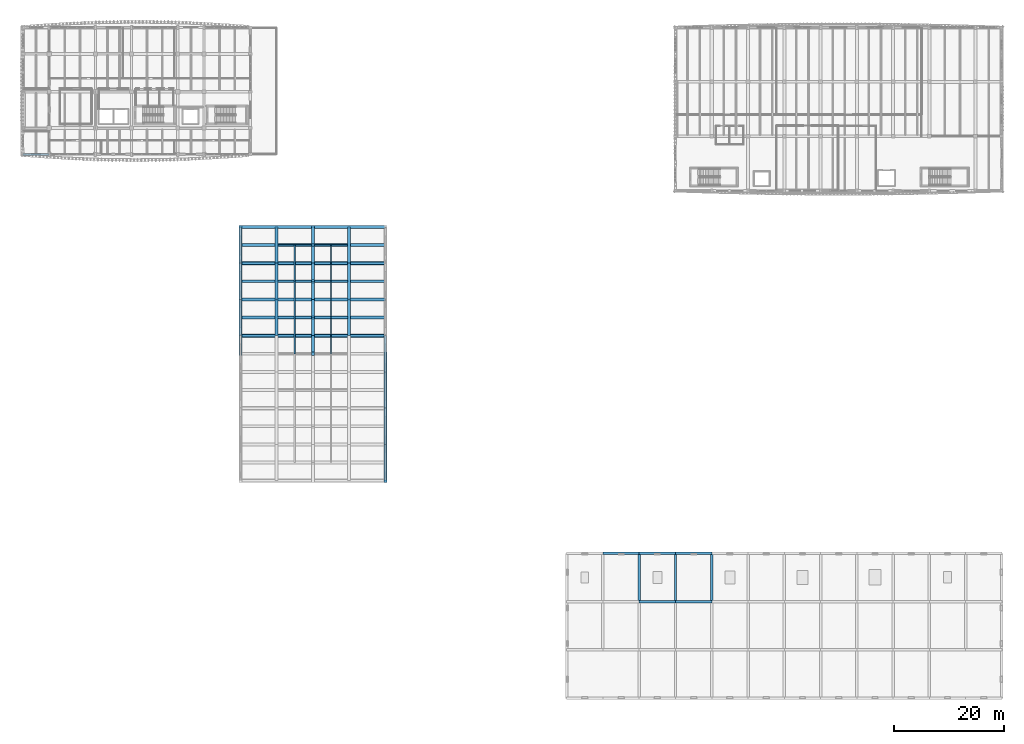
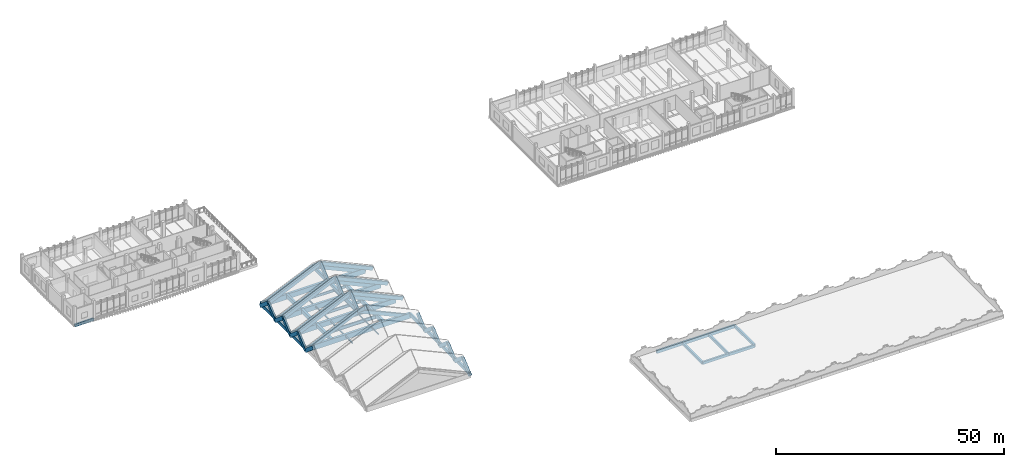
# One storey, part 3 of 50: 67 beams, 6 members.
"""IFC4 building model written with IfcOpenShell, lengths in metres."""

import ifcopenshell
import ifcopenshell.guid

model = None  # the IFC model being written
_history = None  # IfcOwnerHistory: only IFC2X3 demands one
_inside = {}  # id of a spatial element -> (the spatial element, [elements in it])
_under = {}  # id of a project, library or spatial element -> (it, [spatial elements below it])
_declared = {}  # id of a project -> (the project, [libraries it declares])
_typed = {}  # id of a type object -> (the type object, [elements of that type])
_made_of = {}  # id of a material, layer set ... -> (it, [elements and type objects made of it])


def new_model(schema):
    """Start an empty IFC model of exactly this schema.

    Asked for "IFC4X3", IfcOpenShell would pick the latest addendum, in which some entities
    have other attributes; the version numbers below select the first issue.
    IFC2X3 requires an IfcOwnerHistory on every rooted entity: one is made here for all.
    """
    global model, _history
    if schema == "IFC4X3":
        model = ifcopenshell.file(schema_version=(4, 3, 0, 0))
    else:
        model = ifcopenshell.file(schema=schema)
    _inside.clear()
    _under.clear()
    _declared.clear()
    _typed.clear()
    _made_of.clear()
    _history = None
    if model.schema == "IFC2X3":
        org = make("IfcOrganization", Name="unknown")
        user = make(
            "IfcPersonAndOrganization",
            ThePerson=make("IfcPerson", FamilyName="unknown"),
            TheOrganization=org,
        )
        app = make(
            "IfcApplication",
            ApplicationDeveloper=org,
            Version="unknown",
            ApplicationFullName="unknown",
            ApplicationIdentifier="unknown",
        )
        _history = make(
            "IfcOwnerHistory",
            OwningUser=user,
            OwningApplication=app,
            ChangeAction="ADDED",
            CreationDate=0,
        )
    return model


def make(cls, **values):
    """One entity of the class cls with the attributes given. An attribute that is None is left unset."""
    return model.create_entity(
        cls, **{name: value for name, value in values.items() if value is not None}
    )


def rooted(cls, **values):
    """An entity with a GlobalId (a new one), such as an element, a storey or a relation."""
    return make(cls, GlobalId=ifcopenshell.guid.new(), OwnerHistory=_history, **values)


def si_unit(unit_type, name, prefix=None):
    """IfcSIUnit, for example si_unit("LENGTHUNIT", "METRE", prefix="MILLI")."""
    return make("IfcSIUnit", UnitType=unit_type, Prefix=prefix, Name=name)


def assignment(units):
    """IfcUnitAssignment: the units of a project."""
    return None if units is None else make("IfcUnitAssignment", Units=units)


def point(xyz):
    """IfcCartesianPoint."""
    return None if xyz is None else make("IfcCartesianPoint", Coordinates=xyz)


def direction(xyz):
    """IfcDirection."""
    return None if xyz is None else make("IfcDirection", DirectionRatios=xyz)


def frame(location, z_axis=None, x_axis=None):
    """IfcAxis2Placement3D, a coordinate frame: its origin and axes. An axis left out is left unset."""
    return make(
        "IfcAxis2Placement3D",
        Location=point(location),
        Axis=direction(z_axis),
        RefDirection=direction(x_axis),
    )


def frame_2d(location, x_axis=None):
    """IfcAxis2Placement2D, a coordinate frame in the plane: its origin and x axis."""
    return make(
        "IfcAxis2Placement2D", Location=point(location), RefDirection=direction(x_axis)
    )


def origin():
    """The frame at (0, 0, 0) with its axes left unset."""
    return frame((0.0, 0.0, 0.0))


def origin_2d():
    """The frame at (0, 0) in the plane with its x axis left unset."""
    return frame_2d((0.0, 0.0))


def place(relative_to, where):
    """IfcLocalPlacement: puts the frame where relative to a parent placement (None: the world)."""
    return make(
        "IfcLocalPlacement", PlacementRelTo=relative_to, RelativePlacement=where
    )


def context(
    kind, dimensions, precision=None, world=None, true_north=None, identifier=None
):
    """IfcGeometricRepresentationContext, for example the 3D "Model" context."""
    return make(
        "IfcGeometricRepresentationContext",
        ContextIdentifier=identifier,
        ContextType=kind,
        CoordinateSpaceDimension=dimensions,
        Precision=precision,
        WorldCoordinateSystem=world,
        TrueNorth=true_north,
    )


def subcontext(parent, identifier, kind, view, scale=None):
    """IfcGeometricRepresentationSubContext, for example "Body" below "Model"."""
    return make(
        "IfcGeometricRepresentationSubContext",
        ContextIdentifier=identifier,
        ContextType=kind,
        ParentContext=parent,
        TargetScale=scale,
        TargetView=view,
    )


def project(units=None, contexts=None):
    """IfcProject with its units and contexts."""
    return rooted(
        "IfcProject",
        Name="project",
        RepresentationContexts=contexts,
        UnitsInContext=assignment(units),
    )


def spatial(cls, under=None, at=None, **own):
    """A site, building, storey or space (cls), placed at a placement, below another one or the project."""
    s = rooted(cls, ObjectPlacement=at, **own)
    if under is not None:
        _under.setdefault(under.id(), (under, []))[1].append(s)
    return s


def profile(cls, at=None, kind="AREA", **sizes):
    """A parametric profile (cls). Its sizes go by their IFC names, for example OverallWidth=200.0."""
    return make(cls, ProfileType=kind, Position=at, **sizes)


def rectangle(**sizes):
    """IfcRectangleProfileDef."""
    return profile("IfcRectangleProfileDef", **sizes)


def i_section(**sizes):
    """IfcIShapeProfileDef."""
    return profile("IfcIShapeProfileDef", **sizes)


def extrude(swept, where, along, depth):
    """IfcExtrudedAreaSolid: the profile swept, set in the frame where, extruded along a direction by depth."""
    return make(
        "IfcExtrudedAreaSolid",
        SweptArea=swept,
        Position=where,
        ExtrudedDirection=direction(along),
        Depth=depth,
    )


def shape(context_of_items, identifier, shape_type, items):
    """IfcShapeRepresentation: the items that make up one representation, for example the "Body"."""
    return make(
        "IfcShapeRepresentation",
        ContextOfItems=context_of_items,
        RepresentationIdentifier=identifier,
        RepresentationType=shape_type,
        Items=items,
    )


def material(Name=None, Category=None):
    """IfcMaterial."""
    return make("IfcMaterial", Name=Name, Category=Category)


def material_profile(
    of_material, cross_section, Name=None, Category=None, Priority=None
):
    """IfcMaterialProfile: a cross section and its material."""
    return make(
        "IfcMaterialProfile",
        Name=Name,
        Material=of_material,
        Profile=cross_section,
        Priority=Priority,
        Category=Category,
    )


def profile_set(profiles, Name=None, composite=None):
    """IfcMaterialProfileSet."""
    return make(
        "IfcMaterialProfileSet",
        Name=Name,
        MaterialProfiles=profiles,
        CompositeProfile=composite,
    )


def made_of(thing, what):
    """Note that an element or type object is made of a material, layer set ...; save() writes the relation."""
    if what is not None:
        _made_of.setdefault(what.id(), (what, []))[1].append(thing)
    return thing


def type_object(cls, material=None, **own):
    """A type object (cls), such as IfcWallType, which elements share."""
    return made_of(rooted(cls, **own), material)


def element(
    cls,
    number,
    at=None,
    inside=None,
    cuts=None,
    type_object=None,
    material=None,
    context=None,
    identifier="Body",
    shape_type=None,
    held_by="IfcProductDefinitionShape",
    body=None,
    shapes=None,
    **own,
):
    """One element of the class cls, such as IfcWall. Its Tag is "e" and its number.

    at: its placement. inside: the storey or other place that contains it. cuts: it is an
    opening in that element (IfcRelVoidsElement). A single representation is given by context,
    identifier, shape_type and body (its items); several are given by shapes. held_by: the class
    of the entity that holds the representations. save() writes the other relations.
    """
    e = rooted(cls, Tag="e%d" % number, ObjectPlacement=at, **own)
    if body is not None:
        shapes = [shape(context, identifier, shape_type, body)]
    if shapes is not None:
        e.Representation = make(held_by, Representations=shapes)
    if inside is not None:
        _inside.setdefault(inside.id(), (inside, []))[1].append(e)
    if cuts is not None:
        rooted(
            "IfcRelVoidsElement", RelatingBuildingElement=cuts, RelatedOpeningElement=e
        )
    if type_object is not None:
        _typed.setdefault(type_object.id(), (type_object, []))[1].append(e)
    return made_of(e, material)


def aggregate(whole, parts):
    """IfcRelAggregates: a whole, such as a stair, and the parts it consists of."""
    return rooted("IfcRelAggregates", RelatingObject=whole, RelatedObjects=parts)


def save(model, path):
    """Write the relations noted so far, then the file.

    IfcRelAggregates (storeys below a building ...), IfcRelContainedInSpatialStructure (elements
    in a storey), IfcRelDefinesByType, IfcRelAssociatesMaterial and IfcRelDeclares: one each for
    every whole, place, type object, material and project.
    """
    for whole, parts in _under.values():
        aggregate(whole, parts)
    for where, things in _inside.values():
        rooted(
            "IfcRelContainedInSpatialStructure",
            RelatedElements=things,
            RelatingStructure=where,
        )
    for kind, things in _typed.values():
        rooted("IfcRelDefinesByType", RelatedObjects=things, RelatingType=kind)
    for what, things in _made_of.values():
        rooted("IfcRelAssociatesMaterial", RelatedObjects=things, RelatingMaterial=what)
    for by, libraries in _declared.values():
        rooted("IfcRelDeclares", RelatingContext=by, RelatedDefinitions=libraries)
    model.write(path)


model = new_model("IFC4")

# Units and contexts
model_context = context("Model", 3, precision=1e-05, world=origin(), true_north=direction((0.0, 1.0)))
body_context = subcontext(model_context, "Body", "Model", "MODEL_VIEW")
ifc_project = project(units=[si_unit("LENGTHUNIT", "METRE"), si_unit("AREAUNIT", "SQUARE_METRE"), si_unit("VOLUMEUNIT", "CUBIC_METRE"), si_unit("PLANEANGLEUNIT", "RADIAN"), si_unit("MASSUNIT", "GRAM", prefix="KILO")], contexts=[model_context])

# Site, building, storey
site_placement = place(None, origin())
site = spatial("IfcSite", under=ifc_project, at=site_placement, CompositionType="ELEMENT")
building_placement = place(site_placement, origin())
building = spatial("IfcBuilding", under=site, at=building_placement, Name="Dornvale Research Institute", CompositionType="ELEMENT")
storey_placement = place(building_placement, frame((0.0, 0.0, 19.800048828125)))
storey = spatial("IfcBuildingStorey", under=building, at=storey_placement, Name="L04", CompositionType="ELEMENT", Elevation=19.800048828125)

# Beams
ifc_material_1 = material(Name="Concrete f'c 45 MPa (C35/45)", Category="concrete")
ifc_material_profile_1 = material_profile(ifc_material_1, rectangle(XDim=0.449951171875, YDim=0.715087890625, at=origin_2d()), Name="RC 450x715")
ifc_profile_set_1 = profile_set([ifc_material_profile_1], Name="Concrete f'c 45 MPa (C35/45)")
beam_type_1 = type_object("IfcBeamType", Name="Beam_RC450x715_Lab", PredefinedType="BEAM", material=ifc_profile_set_1)
beam_1_placement = place(storey_placement, frame((112.199951171875, 17.60009765625, -0.357666015625), z_axis=(1.0, 0.0, 0.0), x_axis=(0.0, 1.0, 0.0)))
element("IfcBeam", 1, at=beam_1_placement, inside=storey, type_object=beam_type_1, Name="L04 primary girder #1261", PredefinedType="BEAM", context=body_context, shape_type="SweptSolid", body=[
    extrude(rectangle(XDim=0.449951171875, YDim=0.715087890625, at=origin_2d()), origin(), (0.0, 0.0, 1.0), 6.60009765625),
])
beam_2_placement = place(storey_placement, frame((118.800048828125, 17.60009765625, -0.357666015625), z_axis=(1.0, 0.0, 0.0), x_axis=(0.0, 1.0, 0.0)))
element("IfcBeam", 2, at=beam_2_placement, inside=storey, type_object=beam_type_1, Name="L04 primary girder #1262", PredefinedType="BEAM", context=body_context, shape_type="SweptSolid", body=[
    extrude(rectangle(XDim=0.449951171875, YDim=0.715087890625, at=origin_2d()), origin(), (0.0, 0.0, 1.0), 6.599853515625),
])
for number, where, z_axis, x_axis, name in (
    (3, (112.199951171875, 17.60009765625, -0.357666015625), (0.0, 1.0, 0.0), (-1.0, 0.0, 0.0), "L04 transverse girder #1290"),
    (4, (118.800048828125, 17.60009765625, -0.357666015625), (0.0, 1.0, 0.0), (-1.0, 0.0, 0.0), "L04 transverse girder #1293"),
    (5, (125.39990234375, 17.60009765625, -0.357666015625), (0.0, 1.0, 0.0), (-1.0, 0.0, 0.0), "L04 transverse girder #1296"),
):
    element("IfcBeam", number, at=place(storey_placement, frame(where, z_axis=z_axis, x_axis=x_axis)), inside=storey, type_object=beam_type_1, Name=name, PredefinedType="BEAM", context=body_context, shape_type="SweptSolid", body=[
        extrude(rectangle(XDim=0.449951171875, YDim=0.715087890625, at=origin_2d()), origin(), (0.0, 0.0, 1.0), 8.7998046875),
    ])
ifc_material_2 = material(Name="Concrete f'c 45 MPa (C35/45)", Category="concrete")
ifc_material_profile_2 = material_profile(ifc_material_2, rectangle(XDim=0.5, YDim=0.89990234375, at=origin_2d()), Name="RC 500x900")
ifc_profile_set_2 = profile_set([ifc_material_profile_2], Name="Concrete f'c 45 MPa (C35/45)")
beam_type_2 = type_object("IfcBeamType", Name="Beam_RC500x900_Ridge", PredefinedType="BEAM", material=ifc_profile_set_2)
beam_3_placement = place(storey_placement, frame((52.800048828125, 66.0, 5.030029296875), z_axis=(0.0, 1.0, 0.0), x_axis=(-1.0, 0.0, 0.0)))
element("IfcBeam", 6, at=beam_3_placement, inside=storey, type_object=beam_type_2, Name="L04 V2 folded-plate valley spine tie #1963", PredefinedType="BEAM", context=body_context, shape_type="SweptSolid", body=[
    extrude(rectangle(XDim=0.5, YDim=0.89990234375, at=origin_2d()), origin(), (0.0, 0.0, 1.0), 6.60009765625),
])
beam_4_placement = place(storey_placement, frame((52.800048828125, 72.60009765625, 5.030029296875), z_axis=(0.0, 1.0, 0.0), x_axis=(-1.0, 0.0, 0.0)))
element("IfcBeam", 7, at=beam_4_placement, inside=storey, type_object=beam_type_2, Name="L04 V2 folded-plate valley spine tie #1968", PredefinedType="BEAM", context=body_context, shape_type="SweptSolid", body=[
    extrude(rectangle(XDim=0.5, YDim=0.89990234375, at=origin_2d()), origin(), (0.0, 0.0, 1.0), 6.599853515625),
])
beam_5_placement = place(storey_placement, frame((52.800048828125, 79.199951171875, 5.030029296875), z_axis=(0.0, 1.0, 0.0), x_axis=(-1.0, 0.0, 0.0)))
element("IfcBeam", 8, at=beam_5_placement, inside=storey, type_object=beam_type_2, Name="L04 V2 folded-plate valley spine tie #1973", PredefinedType="BEAM", context=body_context, shape_type="SweptSolid", body=[
    extrude(rectangle(XDim=0.5, YDim=0.89990234375, at=origin_2d()), origin(), (0.0, 0.0, 1.0), 6.60009765625),
])
for number, where, z_axis, x_axis, name in (
    (9, (52.800048828125, 62.699951171875, 7.829833984375), (0.0, 0.762536121444, -0.646945641838), (-1.0, 0.0, 0.0), "L04 V2 folded-plate spine chord N #1975"),
    (10, (52.800048828125, 66.0, 5.030029296875), (0.0, 0.762536121444, 0.646945641838), (-1.0, 0.0, 0.0), "L04 V2 folded-plate spine chord S #1975"),
    (11, (52.800048828125, 69.300048828125, 7.829833984375), (0.0, 0.762536121444, -0.646945641838), (-1.0, 0.0, 0.0), "L04 V2 folded-plate spine chord N #1975"),
):
    element("IfcBeam", number, at=place(storey_placement, frame(where, z_axis=z_axis, x_axis=x_axis)), inside=storey, type_object=beam_type_2, Name=name, PredefinedType="BEAM", context=body_context, shape_type="SweptSolid", body=[
        extrude(rectangle(XDim=0.5, YDim=0.89990234375, at=origin_2d()), origin(), (0.0, 0.0, 1.0), 4.32763671875),
    ])
for number, where, z_axis, x_axis, name in (
    (12, (39.60009765625, 69.300048828125, 1.829833984375), (0.910365900827, 0.0, 0.413804212897), (0.0, 1.0, 0.0), "L04 V2 west pleat ridge rafter #1975"),
    (13, (66.0, 69.300048828125, 1.829833984375), (-0.910365900827, 0.0, 0.413804212897), (0.0, -1.0, 0.0), "L04 V2 east pleat ridge rafter #1975"),
):
    element("IfcBeam", number, at=place(storey_placement, frame(where, z_axis=z_axis, x_axis=x_axis)), inside=storey, type_object=beam_type_2, Name=name, PredefinedType="BEAM", context=body_context, shape_type="SweptSolid", body=[
        extrude(rectangle(XDim=0.5, YDim=0.89990234375, at=origin_2d()), origin(), (0.0, 0.0, 1.0), 14.49951171875),
    ])
for number, where, z_axis, x_axis, name in (
    (14, (52.800048828125, 72.60009765625, 5.030029296875), (0.0, 0.762512508849, 0.646973472291), (-1.0, 0.0, 0.0), "L04 V2 folded-plate spine chord S #1975"),
    (15, (52.800048828125, 75.89990234375, 7.829833984375), (0.0, 0.762536121444, -0.646945641838), (-1.0, 0.0, 0.0), "L04 V2 folded-plate spine chord N #1975"),
):
    element("IfcBeam", number, at=place(storey_placement, frame(where, z_axis=z_axis, x_axis=x_axis)), inside=storey, type_object=beam_type_2, Name=name, PredefinedType="BEAM", context=body_context, shape_type="SweptSolid", body=[
        extrude(rectangle(XDim=0.5, YDim=0.89990234375, at=origin_2d()), origin(), (0.0, 0.0, 1.0), 4.32763671875),
    ])
for number, where, z_axis, x_axis, name in (
    (16, (39.60009765625, 75.89990234375, 1.829833984375), (0.910365900827, 0.0, 0.413804212897), (0.0, 1.0, 0.0), "L04 V2 west pleat ridge rafter #1975"),
    (17, (66.0, 75.89990234375, 1.829833984375), (-0.910365900827, 0.0, 0.413804212897), (0.0, -1.0, 0.0), "L04 V2 east pleat ridge rafter #1975"),
):
    element("IfcBeam", number, at=place(storey_placement, frame(where, z_axis=z_axis, x_axis=x_axis)), inside=storey, type_object=beam_type_2, Name=name, PredefinedType="BEAM", context=body_context, shape_type="SweptSolid", body=[
        extrude(rectangle(XDim=0.5, YDim=0.89990234375, at=origin_2d()), origin(), (0.0, 0.0, 1.0), 14.49951171875),
    ])
for number, where, z_axis, x_axis, name in (
    (18, (52.800048828125, 79.199951171875, 5.030029296875), (0.0, 0.762536121444, 0.646945641838), (-1.0, 0.0, 0.0), "L04 V2 folded-plate spine chord S #1975"),
    (19, (52.800048828125, 82.5, 7.829833984375), (0.0, 0.762536121444, -0.646945641838), (-1.0, 0.0, 0.0), "L04 V2 folded-plate spine chord N #1975"),
):
    element("IfcBeam", number, at=place(storey_placement, frame(where, z_axis=z_axis, x_axis=x_axis)), inside=storey, type_object=beam_type_2, Name=name, PredefinedType="BEAM", context=body_context, shape_type="SweptSolid", body=[
        extrude(rectangle(XDim=0.5, YDim=0.89990234375, at=origin_2d()), origin(), (0.0, 0.0, 1.0), 4.32763671875),
    ])
for number, where, z_axis, x_axis, name in (
    (20, (39.60009765625, 82.5, 1.829833984375), (0.910365900827, 0.0, 0.413804212897), (0.0, 1.0, 0.0), "L04 V2 west pleat ridge rafter #1975"),
    (21, (66.0, 82.5, 1.829833984375), (-0.910365900827, 0.0, 0.413804212897), (0.0, -1.0, 0.0), "L04 V2 east pleat ridge rafter #1975"),
    (22, (39.60009765625, 66.0, -0.969970703125), (0.910365900827, 0.0, 0.413804212897), (0.0, 1.0, 0.0), "L04 V2 west valley rafter #1989"),
    (23, (66.0, 66.0, -0.969970703125), (-0.910365900827, 0.0, 0.413804212897), (0.0, -1.0, 0.0), "L04 V2 east valley rafter #1990"),
    (24, (39.60009765625, 72.60009765625, -0.969970703125), (0.910365900827, 0.0, 0.413804212897), (0.0, 1.0, 0.0), "L04 V2 west valley rafter #1992"),
    (25, (66.0, 72.60009765625, -0.969970703125), (-0.910365900827, 0.0, 0.413804212897), (0.0, -1.0, 0.0), "L04 V2 east valley rafter #1993"),
    (26, (39.60009765625, 79.199951171875, -0.969970703125), (0.910365900827, 0.0, 0.413804212897), (0.0, 1.0, 0.0), "L04 V2 west valley rafter #1995"),
    (27, (66.0, 79.199951171875, -0.969970703125), (-0.910365900827, 0.0, 0.413804212897), (0.0, -1.0, 0.0), "L04 V2 east valley rafter #1996"),
    (28, (39.60009765625, 85.800048828125, -0.969970703125), (0.910365900827, 0.0, 0.413804212897), (0.0, 1.0, 0.0), "L04 V2 west valley rafter #1998"),
    (29, (66.0, 85.800048828125, -0.969970703125), (-0.910365900827, 0.0, 0.413804212897), (0.0, -1.0, 0.0), "L04 V2 east valley rafter #1999"),
):
    element("IfcBeam", number, at=place(storey_placement, frame(where, z_axis=z_axis, x_axis=x_axis)), inside=storey, type_object=beam_type_2, Name=name, PredefinedType="BEAM", context=body_context, shape_type="SweptSolid", body=[
        extrude(rectangle(XDim=0.5, YDim=0.89990234375, at=origin_2d()), origin(), (0.0, 0.0, 1.0), 14.49951171875),
    ])
ifc_material_3 = material(Name="Concrete f'c 45 MPa (C35/45)", Category="concrete")
ifc_material_profile_3 = material_profile(ifc_material_3, rectangle(XDim=0.550048828125, YDim=1.0, at=origin_2d()), Name="RC 550x1000")
ifc_profile_set_3 = profile_set([ifc_material_profile_3], Name="Concrete f'c 45 MPa (C35/45)")
beam_type_3 = type_object("IfcBeamType", Name="Beam_RC550x1000_Girder", PredefinedType="BEAM", material=ifc_profile_set_3)
for number, where, z_axis, x_axis, name in (
    (30, (46.199951171875, 66.0, -0.5), (0.0, 1.0, 0.0), (-1.0, 0.0, 0.0), "L04 V2 atrium west gallery beam #1964"),
    (31, (59.39990234375, 66.0, -0.5), (0.0, 1.0, 0.0), (-1.0, 0.0, 0.0), "L04 V2 atrium east gallery beam #1965"),
):
    element("IfcBeam", number, at=place(storey_placement, frame(where, z_axis=z_axis, x_axis=x_axis)), inside=storey, type_object=beam_type_3, Name=name, PredefinedType="BEAM", context=body_context, shape_type="SweptSolid", body=[
        extrude(rectangle(XDim=0.550048828125, YDim=1.0, at=origin_2d()), origin(), (0.0, 0.0, 1.0), 6.60009765625),
    ])
for number, where, z_axis, x_axis, name in (
    (32, (46.199951171875, 72.60009765625, -0.5), (0.0, 1.0, 0.0), (-1.0, 0.0, 0.0), "L04 V2 atrium west gallery beam #1969"),
    (33, (59.39990234375, 72.60009765625, -0.5), (0.0, 1.0, 0.0), (-1.0, 0.0, 0.0), "L04 V2 atrium east gallery beam #1970"),
):
    element("IfcBeam", number, at=place(storey_placement, frame(where, z_axis=z_axis, x_axis=x_axis)), inside=storey, type_object=beam_type_3, Name=name, PredefinedType="BEAM", context=body_context, shape_type="SweptSolid", body=[
        extrude(rectangle(XDim=0.550048828125, YDim=1.0, at=origin_2d()), origin(), (0.0, 0.0, 1.0), 6.599853515625),
    ])
for number, where, z_axis, x_axis, name in (
    (34, (46.199951171875, 79.199951171875, -0.5), (0.0, 1.0, 0.0), (-1.0, 0.0, 0.0), "L04 V2 atrium west gallery beam #1974"),
    (35, (59.39990234375, 79.199951171875, -0.5), (0.0, 1.0, 0.0), (-1.0, 0.0, 0.0), "L04 V2 atrium east gallery beam #1975"),
):
    element("IfcBeam", number, at=place(storey_placement, frame(where, z_axis=z_axis, x_axis=x_axis)), inside=storey, type_object=beam_type_3, Name=name, PredefinedType="BEAM", context=body_context, shape_type="SweptSolid", body=[
        extrude(rectangle(XDim=0.550048828125, YDim=1.0, at=origin_2d()), origin(), (0.0, 0.0, 1.0), 6.60009765625),
    ])
ifc_material_4 = material(Name="Steel ASTM A992 Grade 50", Category="steel")
ifc_material_profile_4 = material_profile(ifc_material_4, i_section(OverallWidth=0.25390625, OverallDepth=0.68310546875, WebThickness=0.012451171875, FlangeThickness=0.018798828125, at=origin_2d()), Name="W27X94")
ifc_profile_set_4 = profile_set([ifc_material_profile_4], Name="Steel ASTM A992 Grade 50")
beam_type_4 = type_object("IfcBeamType", Name="Beam_Steel_W27X94", PredefinedType="BEAM", material=ifc_profile_set_4)
beam_6_placement = place(storey_placement, frame((46.199951171875, 82.5, -0.6416015625), z_axis=(1.0, 0.0, 0.0), x_axis=(0.0, 1.0, 0.0)))
element("IfcBeam", 36, at=beam_6_placement, inside=storey, type_object=beam_type_4, Name="L04 atrium skylight mid-bay steel tie #2006", PredefinedType="BEAM", context=body_context, shape_type="SweptSolid", body=[
    extrude(i_section(OverallWidth=0.25390625, OverallDepth=0.68310546875, WebThickness=0.012451171875, FlangeThickness=0.018798828125, at=origin_2d()), origin(), (0.0, 0.0, 1.0), 13.199951171875),
])
ifc_material_5 = material(Name="Steel ASTM A992 Grade 50", Category="steel")
ifc_material_profile_5 = material_profile(ifc_material_5, i_section(OverallWidth=0.26708984375, OverallDepth=0.757080078125, WebThickness=0.013916015625, FlangeThickness=0.019287109375, at=origin_2d()), Name="W30X108")
ifc_profile_set_5 = profile_set([ifc_material_profile_5], Name="Steel ASTM A992 Grade 50")
beam_type_5 = type_object("IfcBeamType", Name="Beam_Steel_W30X108", PredefinedType="BEAM", material=ifc_profile_set_5)
beam_7_placement = place(storey_placement, frame((46.199951171875, 75.89990234375, -0.678466796875), z_axis=(1.0, 0.0, 0.0), x_axis=(0.0, 1.0, 0.0)))
element("IfcBeam", 37, at=beam_7_placement, inside=storey, type_object=beam_type_5, Name="L04 atrium skylight mid-bay steel tie #2005", PredefinedType="BEAM", context=body_context, shape_type="SweptSolid", body=[
    extrude(i_section(OverallWidth=0.26708984375, OverallDepth=0.757080078125, WebThickness=0.013916015625, FlangeThickness=0.019287109375, at=origin_2d()), origin(), (0.0, 0.0, 1.0), 13.199951171875),
])
ifc_material_6 = material(Name="Steel ASTM A992 Grade 50", Category="steel")
ifc_material_profile_6 = material_profile(ifc_material_6, i_section(OverallWidth=0.304931640625, OverallDepth=0.912109375, WebThickness=0.015869140625, FlangeThickness=0.02392578125, at=origin_2d()), Name="W36X150")
ifc_profile_set_6 = profile_set([ifc_material_profile_6], Name="Steel ASTM A992 Grade 50")
beam_type_6 = type_object("IfcBeamType", Name="Beam_Steel_W36X150", PredefinedType="BEAM", material=ifc_profile_set_6)
beam_8_placement = place(storey_placement, frame((46.199951171875, 69.300048828125, -0.756103515625), z_axis=(1.0, 0.0, 0.0), x_axis=(0.0, 1.0, 0.0)))
element("IfcBeam", 38, at=beam_8_placement, inside=storey, type_object=beam_type_6, Name="L04 atrium skylight mid-bay steel tie #2004", PredefinedType="BEAM", context=body_context, shape_type="SweptSolid", body=[
    extrude(i_section(OverallWidth=0.304931640625, OverallDepth=0.912109375, WebThickness=0.015869140625, FlangeThickness=0.02392578125, at=origin_2d()), origin(), (0.0, 0.0, 1.0), 13.199951171875),
])

# Members
ifc_material_7 = material(Name="Steel ASTM A992 Grade 50", Category="steel")
ifc_material_profile_7 = material_profile(ifc_material_7, i_section(OverallWidth=0.201904296875, OverallDepth=0.2470703125, WebThickness=0.00732421875, FlangeThickness=0.010986328125, at=origin_2d()), Name="W10X33")
ifc_profile_set_7 = profile_set([ifc_material_profile_7], Name="Steel ASTM A992 Grade 50")
member_type_1 = type_object("IfcMemberType", Name="Purlin_W10X33_Skylight", PredefinedType="PURLIN", material=ifc_profile_set_7)
member_1_placement = place(storey_placement, frame((56.10009765625, 62.699951171875, -0.423583984375), z_axis=(0.0, 1.0, 0.0), x_axis=(-1.0, 0.0, 0.0)))
element("IfcMember", 39, at=member_1_placement, inside=storey, type_object=member_type_1, Name="Atrium gallery purlin #27", PredefinedType="PURLIN", context=body_context, shape_type="SweptSolid", body=[
    extrude(i_section(OverallWidth=0.201904296875, OverallDepth=0.2470703125, WebThickness=0.00732421875, FlangeThickness=0.010986328125, at=origin_2d()), origin(), (0.0, 0.0, 1.0), 6.60009765625),
])
member_2_placement = place(storey_placement, frame((56.10009765625, 69.300048828125, -0.423583984375), z_axis=(0.0, 1.0, 0.0), x_axis=(-1.0, 0.0, 0.0)))
element("IfcMember", 40, at=member_2_placement, inside=storey, type_object=member_type_1, Name="Atrium gallery purlin #29", PredefinedType="PURLIN", context=body_context, shape_type="SweptSolid", body=[
    extrude(i_section(OverallWidth=0.201904296875, OverallDepth=0.2470703125, WebThickness=0.00732421875, FlangeThickness=0.010986328125, at=origin_2d()), origin(), (0.0, 0.0, 1.0), 6.599853515625),
])
member_3_placement = place(storey_placement, frame((56.10009765625, 75.89990234375, -0.423583984375), z_axis=(0.0, 1.0, 0.0), x_axis=(-1.0, 0.0, 0.0)))
element("IfcMember", 41, at=member_3_placement, inside=storey, type_object=member_type_1, Name="Atrium gallery purlin #31", PredefinedType="PURLIN", context=body_context, shape_type="SweptSolid", body=[
    extrude(i_section(OverallWidth=0.201904296875, OverallDepth=0.2470703125, WebThickness=0.00732421875, FlangeThickness=0.010986328125, at=origin_2d()), origin(), (0.0, 0.0, 1.0), 6.60009765625),
])
ifc_material_8 = material(Name="Steel ASTM A992 Grade 50", Category="steel")
ifc_material_profile_8 = material_profile(ifc_material_8, i_section(OverallWidth=0.25390625, OverallDepth=0.305908203125, WebThickness=0.0087890625, FlangeThickness=0.0146484375, at=origin_2d()), Name="W12X53")
ifc_profile_set_8 = profile_set([ifc_material_profile_8], Name="Steel ASTM A992 Grade 50")
member_type_2 = type_object("IfcMemberType", Name="Purlin_W12X53_Skylight", PredefinedType="PURLIN", material=ifc_profile_set_8)
member_4_placement = place(storey_placement, frame((49.5, 62.699951171875, -0.453125), z_axis=(0.0, 1.0, 0.0), x_axis=(-1.0, 0.0, 0.0)))
element("IfcMember", 42, at=member_4_placement, inside=storey, type_object=member_type_2, Name="Atrium gallery purlin #26", PredefinedType="PURLIN", context=body_context, shape_type="SweptSolid", body=[
    extrude(i_section(OverallWidth=0.25390625, OverallDepth=0.305908203125, WebThickness=0.0087890625, FlangeThickness=0.0146484375, at=origin_2d()), origin(), (0.0, 0.0, 1.0), 6.60009765625),
])
member_5_placement = place(storey_placement, frame((49.5, 69.300048828125, -0.453125), z_axis=(0.0, 1.0, 0.0), x_axis=(-1.0, 0.0, 0.0)))
element("IfcMember", 43, at=member_5_placement, inside=storey, type_object=member_type_2, Name="Atrium gallery purlin #28", PredefinedType="PURLIN", context=body_context, shape_type="SweptSolid", body=[
    extrude(i_section(OverallWidth=0.25390625, OverallDepth=0.305908203125, WebThickness=0.0087890625, FlangeThickness=0.0146484375, at=origin_2d()), origin(), (0.0, 0.0, 1.0), 6.599853515625),
])
member_6_placement = place(storey_placement, frame((49.5, 75.89990234375, -0.453125), z_axis=(0.0, 1.0, 0.0), x_axis=(-1.0, 0.0, 0.0)))
element("IfcMember", 44, at=member_6_placement, inside=storey, type_object=member_type_2, Name="Atrium gallery purlin #30", PredefinedType="PURLIN", context=body_context, shape_type="SweptSolid", body=[
    extrude(i_section(OverallWidth=0.25390625, OverallDepth=0.305908203125, WebThickness=0.0087890625, FlangeThickness=0.0146484375, at=origin_2d()), origin(), (0.0, 0.0, 1.0), 6.60009765625),
])

# Beams
ifc_material_9 = material(Name="Concrete f'c 45 MPa (C35/45)", Category="concrete")
ifc_material_profile_9 = material_profile(ifc_material_9, rectangle(XDim=0.39990234375, YDim=0.699951171875, at=origin_2d()), Name="RC 400x700")
ifc_profile_set_9 = profile_set([ifc_material_profile_9], Name="Concrete f'c 45 MPa (C35/45)")
beam_type_7 = type_object("IfcBeamType", Name="Spandrel_RC400x700_Ext", PredefinedType="SPANDREL", material=ifc_profile_set_9)
beam_9_placement = place(storey_placement, frame((0.0, 99.0, -0.35009765625), z_axis=(1.0, 0.0, 0.0), x_axis=(0.0, 1.0, 0.0)))
element("IfcBeam", 45, at=beam_9_placement, inside=storey, type_object=beam_type_7, Name="L04 perimeter spandrel #1114", PredefinedType="SPANDREL", context=body_context, shape_type="SweptSolid", body=[
    extrude(rectangle(XDim=0.39990234375, YDim=0.699951171875, at=origin_2d()), origin(), (0.0, 0.0, 1.0), 4.800048828125),
])
ifc_material_10 = material(Name="Concrete f'c 45 MPa (C35/45)", Category="concrete")
ifc_material_profile_10 = material_profile(ifc_material_10, rectangle(XDim=0.449951171875, YDim=0.800048828125, at=origin_2d()), Name="RC 450x800")
ifc_profile_set_10 = profile_set([ifc_material_profile_10], Name="Concrete f'c 45 MPa (C35/45)")
beam_type_8 = type_object("IfcBeamType", Name="Spandrel_RC450x800_Ext", PredefinedType="SPANDREL", material=ifc_profile_set_10)
beam_10_placement = place(storey_placement, frame((105.60009765625, 26.39990234375, -0.400146484375), z_axis=(1.0, 0.0, 0.0), x_axis=(0.0, 1.0, 0.0)))
element("IfcBeam", 46, at=beam_10_placement, inside=storey, type_object=beam_type_8, Name="L04 perimeter spandrel #1272", PredefinedType="SPANDREL", context=body_context, shape_type="SweptSolid", body=[
    extrude(rectangle(XDim=0.449951171875, YDim=0.800048828125, at=origin_2d()), origin(), (0.0, 0.0, 1.0), 6.599853515625),
])
beam_11_placement = place(storey_placement, frame((112.199951171875, 26.39990234375, -0.400146484375), z_axis=(1.0, 0.0, 0.0), x_axis=(0.0, 1.0, 0.0)))
element("IfcBeam", 47, at=beam_11_placement, inside=storey, type_object=beam_type_8, Name="L04 perimeter spandrel #1273", PredefinedType="SPANDREL", context=body_context, shape_type="SweptSolid", body=[
    extrude(rectangle(XDim=0.449951171875, YDim=0.800048828125, at=origin_2d()), origin(), (0.0, 0.0, 1.0), 6.60009765625),
])
beam_12_placement = place(storey_placement, frame((118.800048828125, 26.39990234375, -0.400146484375), z_axis=(1.0, 0.0, 0.0), x_axis=(0.0, 1.0, 0.0)))
element("IfcBeam", 48, at=beam_12_placement, inside=storey, type_object=beam_type_8, Name="L04 perimeter spandrel #1274", PredefinedType="SPANDREL", context=body_context, shape_type="SweptSolid", body=[
    extrude(rectangle(XDim=0.449951171875, YDim=0.800048828125, at=origin_2d()), origin(), (0.0, 0.0, 1.0), 6.599853515625),
])
ifc_material_11 = material(Name="Concrete f'c 45 MPa (C35/45)", Category="concrete")
ifc_material_profile_11 = material_profile(ifc_material_11, rectangle(XDim=0.449951171875, YDim=0.85009765625, at=origin_2d()), Name="RC 450x850")
ifc_profile_set_11 = profile_set([ifc_material_profile_11], Name="Concrete f'c 45 MPa (C35/45)")
beam_type_9 = type_object("IfcBeamType", Name="Spandrel_RC450x850_Ext", PredefinedType="SPANDREL", material=ifc_profile_set_11)
beam_13_placement = place(storey_placement, frame((66.0, 39.60009765625, -0.425048828125), z_axis=(0.0, 1.0, 0.0), x_axis=(-1.0, 0.0, 0.0)))
element("IfcBeam", 49, at=beam_13_placement, inside=storey, type_object=beam_type_9, Name="L04 V2 east eave beam #1942", PredefinedType="SPANDREL", context=body_context, shape_type="SweptSolid", body=[
    extrude(rectangle(XDim=0.449951171875, YDim=0.85009765625, at=origin_2d()), origin(), (0.0, 0.0, 1.0), 6.599853515625),
])
beam_14_placement = place(storey_placement, frame((66.0, 46.199951171875, -0.425048828125), z_axis=(0.0, 1.0, 0.0), x_axis=(-1.0, 0.0, 0.0)))
element("IfcBeam", 50, at=beam_14_placement, inside=storey, type_object=beam_type_9, Name="L04 V2 east eave beam #1947", PredefinedType="SPANDREL", context=body_context, shape_type="SweptSolid", body=[
    extrude(rectangle(XDim=0.449951171875, YDim=0.85009765625, at=origin_2d()), origin(), (0.0, 0.0, 1.0), 6.60009765625),
])
beam_15_placement = place(storey_placement, frame((66.0, 52.800048828125, -0.425048828125), z_axis=(0.0, 1.0, 0.0), x_axis=(-1.0, 0.0, 0.0)))
element("IfcBeam", 51, at=beam_15_placement, inside=storey, type_object=beam_type_9, Name="L04 V2 east eave beam #1952", PredefinedType="SPANDREL", context=body_context, shape_type="SweptSolid", body=[
    extrude(rectangle(XDim=0.449951171875, YDim=0.85009765625, at=origin_2d()), origin(), (0.0, 0.0, 1.0), 6.599853515625),
])
for number, where, z_axis, x_axis, name in (
    (52, (66.0, 59.39990234375, -0.425048828125), (0.0, 1.0, 0.0), (-1.0, 0.0, 0.0), "L04 V2 east eave beam #1957"),
    (53, (39.60009765625, 66.0, -0.425048828125), (0.0, 1.0, 0.0), (-1.0, 0.0, 0.0), "L04 V2 west eave beam #1961"),
):
    element("IfcBeam", number, at=place(storey_placement, frame(where, z_axis=z_axis, x_axis=x_axis)), inside=storey, type_object=beam_type_9, Name=name, PredefinedType="SPANDREL", context=body_context, shape_type="SweptSolid", body=[
        extrude(rectangle(XDim=0.449951171875, YDim=0.85009765625, at=origin_2d()), origin(), (0.0, 0.0, 1.0), 6.60009765625),
    ])
beam_16_placement = place(storey_placement, frame((39.60009765625, 72.60009765625, -0.425048828125), z_axis=(0.0, 1.0, 0.0), x_axis=(-1.0, 0.0, 0.0)))
element("IfcBeam", 54, at=beam_16_placement, inside=storey, type_object=beam_type_9, Name="L04 V2 west eave beam #1966", PredefinedType="SPANDREL", context=body_context, shape_type="SweptSolid", body=[
    extrude(rectangle(XDim=0.449951171875, YDim=0.85009765625, at=origin_2d()), origin(), (0.0, 0.0, 1.0), 6.599853515625),
])
beam_17_placement = place(storey_placement, frame((39.60009765625, 79.199951171875, -0.425048828125), z_axis=(0.0, 1.0, 0.0), x_axis=(-1.0, 0.0, 0.0)))
element("IfcBeam", 55, at=beam_17_placement, inside=storey, type_object=beam_type_9, Name="L04 V2 west eave beam #1971", PredefinedType="SPANDREL", context=body_context, shape_type="SweptSolid", body=[
    extrude(rectangle(XDim=0.449951171875, YDim=0.85009765625, at=origin_2d()), origin(), (0.0, 0.0, 1.0), 6.60009765625),
])
ifc_material_12 = material(Name="Concrete f'c 45 MPa (C35/45)", Category="concrete")
ifc_material_profile_12 = material_profile(ifc_material_12, rectangle(XDim=0.5, YDim=0.89990234375, at=origin_2d()), Name="RC 500x900")
ifc_profile_set_12 = profile_set([ifc_material_profile_12], Name="Concrete f'c 45 MPa (C35/45)")
beam_type_10 = type_object("IfcBeamType", Name="Spandrel_RC500x900_Pleat", PredefinedType="SPANDREL", material=ifc_profile_set_12)
for number, where, z_axis, x_axis, name in (
    (56, (66.0, 39.60009765625, -0.969970703125), (0.0, 0.762512508849, 0.646973472291), (-1.0, 0.0, 0.0), "L04 V2 pleated eave chord S #1975"),
    (57, (66.0, 42.89990234375, 1.829833984375), (0.0, 0.762536121444, -0.646945641838), (-1.0, 0.0, 0.0), "L04 V2 pleated eave chord N #1975"),
    (58, (66.0, 46.199951171875, -0.969970703125), (0.0, 0.762536121444, 0.646945641838), (-1.0, 0.0, 0.0), "L04 V2 pleated eave chord S #1975"),
    (59, (66.0, 49.5, 1.829833984375), (0.0, 0.762536121444, -0.646945641838), (-1.0, 0.0, 0.0), "L04 V2 pleated eave chord N #1975"),
    (60, (66.0, 52.800048828125, -0.969970703125), (0.0, 0.762536121444, 0.646945641838), (-1.0, 0.0, 0.0), "L04 V2 pleated eave chord S #1975"),
    (61, (66.0, 56.10009765625, 1.829833984375), (0.0, 0.762512508849, -0.646973472291), (-1.0, 0.0, 0.0), "L04 V2 pleated eave chord N #1975"),
    (62, (39.60009765625, 62.699951171875, 1.829833984375), (0.0, 0.762536121444, -0.646945641838), (-1.0, 0.0, 0.0), "L04 V2 pleated eave chord N #1975"),
    (63, (66.0, 59.39990234375, -0.969970703125), (0.0, 0.762536121444, 0.646945641838), (-1.0, 0.0, 0.0), "L04 V2 pleated eave chord S #1975"),
    (64, (39.60009765625, 66.0, -0.969970703125), (0.0, 0.762536121444, 0.646945641838), (-1.0, 0.0, 0.0), "L04 V2 pleated eave chord S #1975"),
    (65, (39.60009765625, 69.300048828125, 1.829833984375), (0.0, 0.762536121444, -0.646945641838), (-1.0, 0.0, 0.0), "L04 V2 pleated eave chord N #1975"),
    (66, (39.60009765625, 72.60009765625, -0.969970703125), (0.0, 0.762512508849, 0.646973472291), (-1.0, 0.0, 0.0), "L04 V2 pleated eave chord S #1975"),
    (67, (39.60009765625, 75.89990234375, 1.829833984375), (0.0, 0.762536121444, -0.646945641838), (-1.0, 0.0, 0.0), "L04 V2 pleated eave chord N #1975"),
    (68, (39.60009765625, 79.199951171875, -0.969970703125), (0.0, 0.762536121444, 0.646945641838), (-1.0, 0.0, 0.0), "L04 V2 pleated eave chord S #1975"),
    (69, (39.60009765625, 82.5, 1.829833984375), (0.0, 0.762536121444, -0.646945641838), (-1.0, 0.0, 0.0), "L04 V2 pleated eave chord N #1975"),
):
    element("IfcBeam", number, at=place(storey_placement, frame(where, z_axis=z_axis, x_axis=x_axis)), inside=storey, type_object=beam_type_10, Name=name, PredefinedType="SPANDREL", context=body_context, shape_type="SweptSolid", body=[
        extrude(rectangle(XDim=0.5, YDim=0.89990234375, at=origin_2d()), origin(), (0.0, 0.0, 1.0), 4.32763671875),
    ])
ifc_material_13 = material(Name="Concrete f'c 50 MPa (C40/50)", Category="concrete")
ifc_material_profile_13 = material_profile(ifc_material_13, rectangle(XDim=0.60009765625, YDim=1.35009765625, at=origin_2d()), Name="RC 600x1350")
ifc_profile_set_13 = profile_set([ifc_material_profile_13], Name="Concrete f'c 50 MPa (C40/50)")
beam_type_11 = type_object("IfcBeamType", Name="TBeam_RC600x1350_Tie", PredefinedType="T_BEAM", material=ifc_profile_set_13)
for number, where, z_axis, x_axis, name in (
    (70, (39.60009765625, 66.0, -0.675048828125), (1.0, 0.0, 0.0), (0.0, 1.0, 0.0), "L04 V2 folded-plate tie girder #1988"),
    (71, (39.60009765625, 72.60009765625, -0.675048828125), (1.0, 0.0, 0.0), (0.0, 1.0, 0.0), "L04 V2 folded-plate tie girder #1991"),
    (72, (39.60009765625, 79.199951171875, -0.675048828125), (1.0, 0.0, 0.0), (0.0, 1.0, 0.0), "L04 V2 folded-plate tie girder #1994"),
    (73, (39.60009765625, 85.800048828125, -0.675048828125), (1.0, 0.0, 0.0), (0.0, 1.0, 0.0), "L04 V2 folded-plate tie girder #1997"),
):
    element("IfcBeam", number, at=place(storey_placement, frame(where, z_axis=z_axis, x_axis=x_axis)), inside=storey, type_object=beam_type_11, Name=name, PredefinedType="T_BEAM", context=body_context, shape_type="SweptSolid", body=[
        extrude(rectangle(XDim=0.60009765625, YDim=1.35009765625, at=origin_2d()), origin(), (0.0, 0.0, 1.0), 26.39990234375),
    ])

save(model, "model.ifc")
